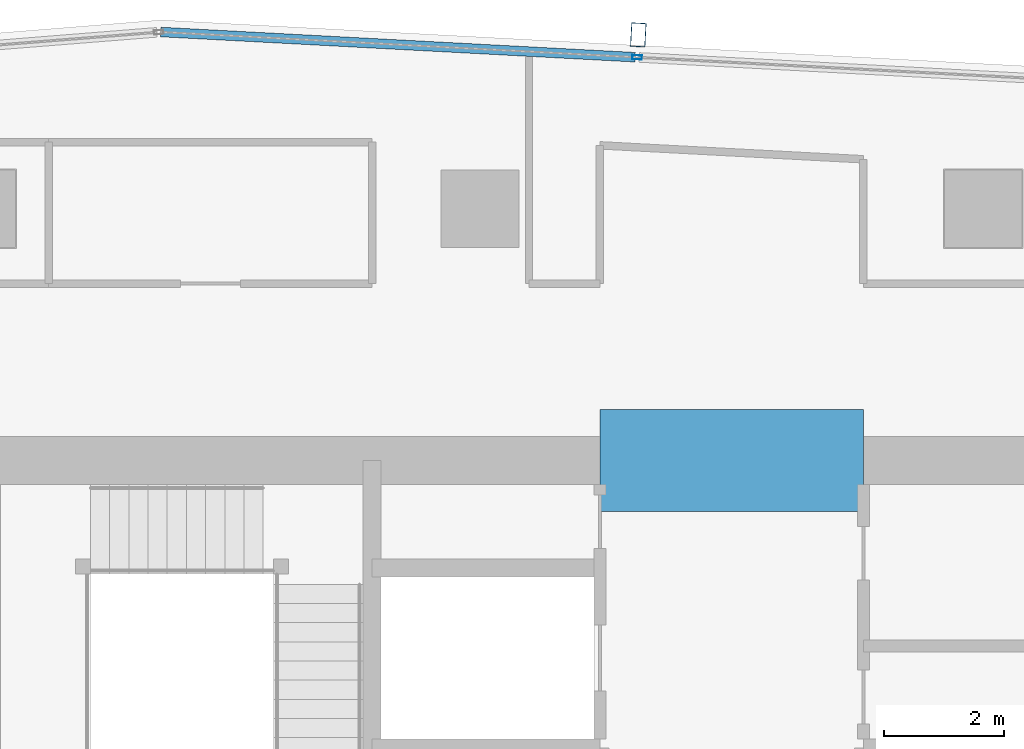
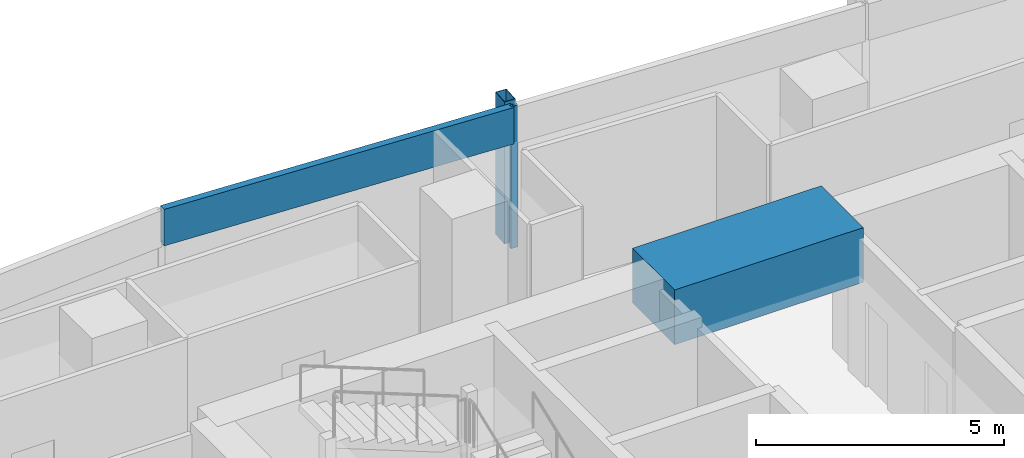
# One storey, part 15 of 28: 3 members, 1 beam, 1 element without a shape of its own.
"""IFC4 building model written with IfcOpenShell, lengths in metres."""

from ifc_helpers import new_model, si_unit, direction, frame, origin, origin_2d, place, context, subcontext, project, spatial, rectangle, hollow_rectangle, extrude, material, material_profile, profile_set, type_object, element, aggregate, save


model = new_model("IFC4")

# Units and contexts
model_context = context("Model", 3, precision=1e-05, world=origin(), true_north=direction((0.0, 1.0)))
body_context = subcontext(model_context, "Body", "Model", "MODEL_VIEW")
ifc_project = project(units=[si_unit("LENGTHUNIT", "METRE"), si_unit("AREAUNIT", "SQUARE_METRE"), si_unit("VOLUMEUNIT", "CUBIC_METRE"), si_unit("PLANEANGLEUNIT", "RADIAN"), si_unit("MASSUNIT", "GRAM", prefix="KILO")], contexts=[model_context])

# Site, building, storey
site_placement = place(None, origin())
site = spatial("IfcSite", under=ifc_project, at=site_placement, CompositionType="ELEMENT")
building_placement = place(site_placement, origin())
building = spatial("IfcBuilding", under=site, at=building_placement, Name="Rekha Terrace Tower", CompositionType="ELEMENT")
storey_placement = place(building_placement, frame((0.0, 0.0, 268.85009765625)))
storey = spatial("IfcBuildingStorey", under=building, at=storey_placement, Name="L68", CompositionType="ELEMENT", Elevation=268.85009765625)

# Curtain wall, members
ifc_material_1 = material(Name="Aluminium framing", Category="aluminium")
curtain_wall_type = type_object("IfcCurtainWallType", Name="CW3 north unitised glazing", PredefinedType="USERDEFINED", material=ifc_material_1)
curtain_wall_placement = place(storey_placement, origin())
curtain_wall = element("IfcCurtainWall", 1, at=curtain_wall_placement, inside=storey, type_object=curtain_wall_type, Name="CW3 unitised curtain wall", ObjectType="UNITISED CURTAIN WALL", PredefinedType="USERDEFINED")
ifc_material_2 = material(Name="Steel S355 with fluorocarbon finish", Category="steel")
ifc_material_profile_1 = material_profile(ifc_material_2, hollow_rectangle(XDim=0.25, YDim=0.39990234375, WallThickness=0.012451171875, at=origin_2d()), Name="RHS400x250x12.5")
ifc_profile_set_1 = profile_set([ifc_material_profile_1], Name="Steel S355 with fluorocarbon finish")
member_type_1 = type_object("IfcMemberType", Name="BL1 facade blade RHS 400 x 250", PredefinedType="USERDEFINED", material=ifc_profile_set_1)
member_1_placement = place(storey_placement, frame((36.24267578125, 53.301513671875, 0.0), z_axis=(0.0, 0.0, 1.0), x_axis=(-0.998590068481, 0.053083661621, 0.0)))
member_1 = element("IfcMember", 2, at=member_1_placement, type_object=member_type_1, Name="Facade blade", ObjectType="FACADE BLADE", PredefinedType="USERDEFINED", context=body_context, shape_type="SweptSolid", body=[
    extrude(hollow_rectangle(XDim=0.25, YDim=0.39990234375, WallThickness=0.012451171875, at=origin_2d()), origin(), (0.0, 0.0, 1.0), 3.5),
])
ifc_material_3 = material(Name="Aluminium mullion section", Category="aluminium")
ifc_material_profile_2 = material_profile(ifc_material_3, hollow_rectangle(XDim=0.070068359375, YDim=0.159912109375, WallThickness=0.00390625, at=origin_2d()), Name="AL RHS 70x160")
ifc_profile_set_2 = profile_set([ifc_material_profile_2], Name="Aluminium mullion section")
member_type_2 = type_object("IfcMemberType", Name="CW3 mullion RHS 70 x 160", PredefinedType="MULLION", material=ifc_profile_set_2)
member_2_placement = place(storey_placement, frame((36.22265625, 52.927001953125, 0.0), z_axis=(0.0, 0.0, 1.0), x_axis=(-0.053083275524, -0.998590089005, 0.0)))
member_2 = element("IfcMember", 3, at=member_2_placement, type_object=member_type_2, Name="CW3 mullion 4", PredefinedType="MULLION", context=body_context, shape_type="SweptSolid", body=[
    extrude(hollow_rectangle(XDim=0.070068359375, YDim=0.159912109375, WallThickness=0.00390625, at=origin_2d()), origin(), (0.0, 0.0, 1.0), 3.5),
])
ifc_material_4 = material(Name="Insulated aluminium spandrel box", Category="aluminium")
ifc_material_profile_3 = material_profile(ifc_material_4, hollow_rectangle(XDim=0.159912109375, YDim=0.89990234375, WallThickness=0.0029296875, at=origin_2d()), Name="AL SPANDREL BOX 160x900")
ifc_profile_set_3 = profile_set([ifc_material_profile_3], Name="Insulated aluminium spandrel box")
member_type_3 = type_object("IfcMemberType", Name="CW3 spandrel transom 160 x 900", PredefinedType="USERDEFINED", material=ifc_profile_set_3)
member_3_placement = place(storey_placement, frame((36.187744140625, 52.9287109375, 3.0498046875), z_axis=(-0.998589092231, 0.053102023288, 0.0), x_axis=(-0.053102023288, -0.998589092231, 0.0)))
member_3 = element("IfcMember", 4, at=member_3_placement, type_object=member_type_3, Name="CW3 spandrel transom 4", ObjectType="TRANSOM", PredefinedType="USERDEFINED", context=body_context, shape_type="SweptSolid", body=[
    extrude(hollow_rectangle(XDim=0.159912109375, YDim=0.89990234375, WallThickness=0.0029296875, at=origin_2d()), origin(), (0.0, 0.0, 1.0), 7.92626953125),
])
aggregate(curtain_wall, [member_2, member_3, member_1])

# Beam
ifc_material_5 = material(Name="Concrete M60", Category="concrete")
ifc_material_profile_4 = material_profile(ifc_material_5, rectangle(XDim=1.699951171875, YDim=1.35009765625, at=origin_2d()), Name="RC 1700x1350")
ifc_profile_set_4 = profile_set([ifc_material_profile_4], Name="Concrete M60")
beam_type = type_object("IfcBeamType", Name="LB5A 1700x1350 diagonally reinforced coupling beam", PredefinedType="LINTEL", material=ifc_profile_set_4)
beam_placement = place(storey_placement, frame((35.60009765625, 46.199951171875, 3.074951171875), z_axis=(1.0, 0.0, 0.0), x_axis=(0.0, 1.0, 0.0)))
element("IfcBeam", 5, at=beam_placement, inside=storey, type_object=beam_type, Name="Coupling beam LB5A N L68", PredefinedType="LINTEL", context=body_context, shape_type="SweptSolid", body=[
    extrude(rectangle(XDim=1.699951171875, YDim=1.35009765625, at=origin_2d()), origin(), (0.0, 0.0, 1.0), 4.39990234375),
])

save(model, "model.ifc")
